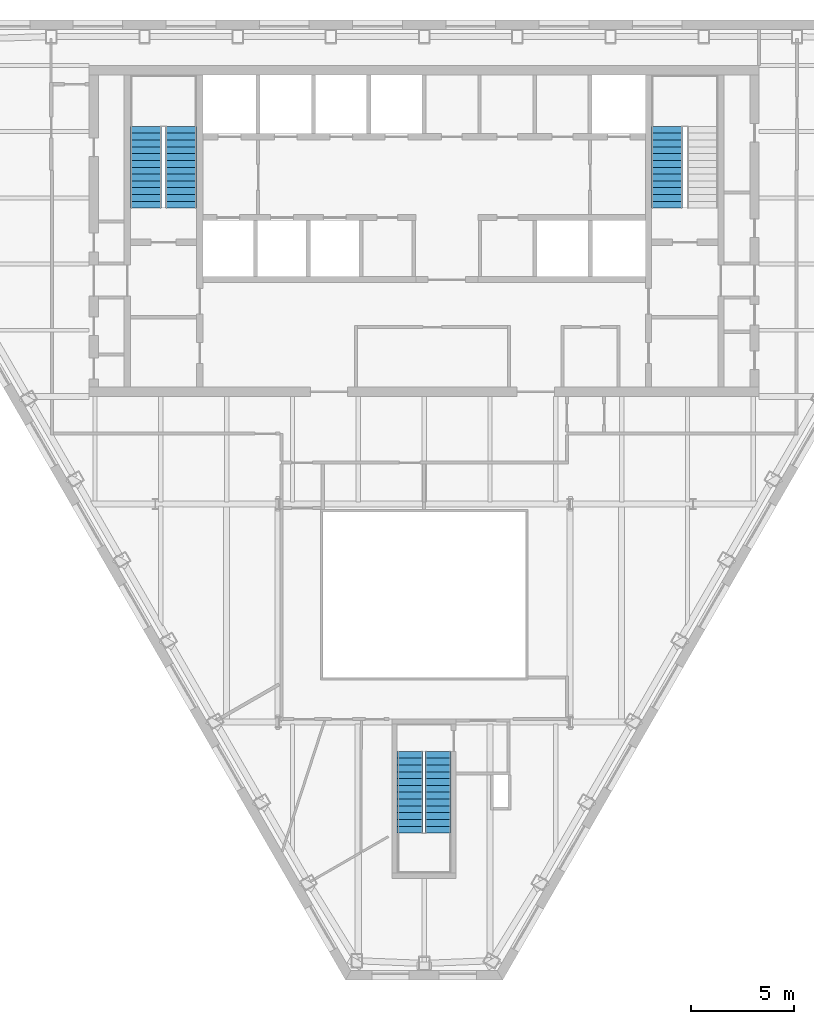
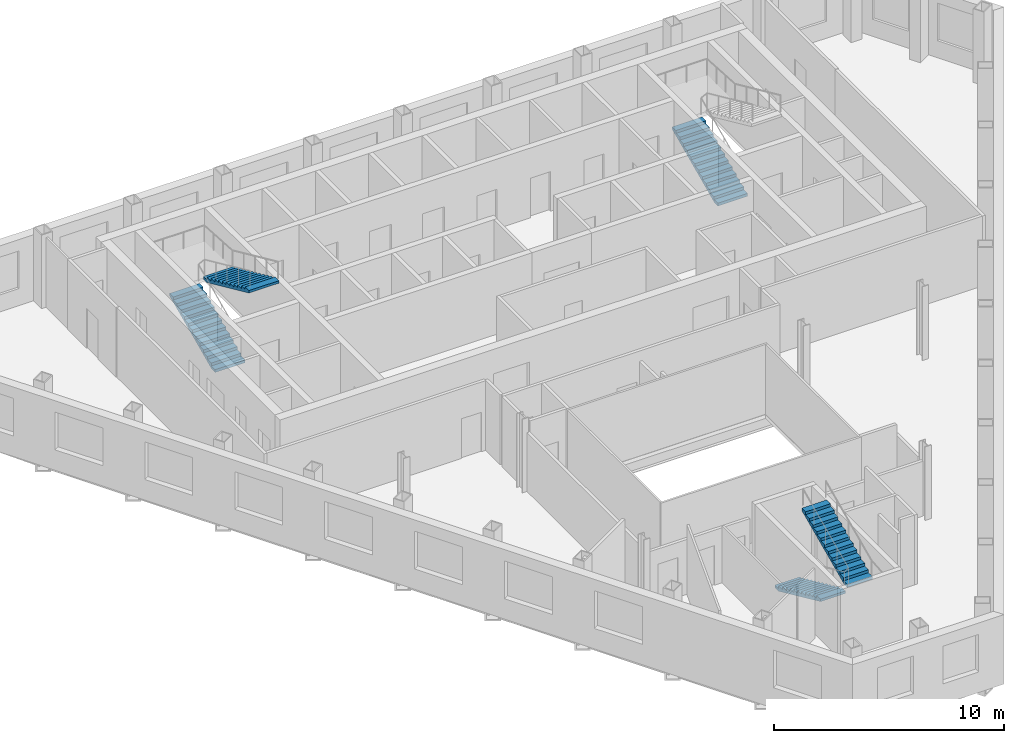
# One storey, part 8 of 10: 5 stair flights, 3 elements without a shape of their own.
"""IFC4 building model written with IfcOpenShell, lengths in metres."""

from ifc_helpers import new_model, si_unit, direction, frame, origin, place, context, subcontext, project, spatial, polygons, material, type_object, element, aggregate, save


model = new_model("IFC4")

# Units and contexts
model_context = context("Model", 3, precision=1e-05, world=origin(), true_north=direction((0.0, 1.0)))
body_context = subcontext(model_context, "Body", "Model", "MODEL_VIEW")
ifc_project = project(units=[si_unit("LENGTHUNIT", "METRE"), si_unit("AREAUNIT", "SQUARE_METRE"), si_unit("VOLUMEUNIT", "CUBIC_METRE"), si_unit("PLANEANGLEUNIT", "RADIAN"), si_unit("MASSUNIT", "GRAM", prefix="KILO")], contexts=[model_context])

# Site, building, storey
site_placement = place(None, origin())
site = spatial("IfcSite", under=ifc_project, at=site_placement, CompositionType="ELEMENT")
building_placement = place(site_placement, origin())
building = spatial("IfcBuilding", under=site, at=building_placement, Name="Njiva Tower", CompositionType="ELEMENT")
storey_placement = place(building_placement, frame((0.0, 0.0, 192.6)))
storey = spatial("IfcBuildingStorey", under=building, at=storey_placement, Name="L42", CompositionType="ELEMENT", Elevation=192.6)

# Stair, stair flights
ifc_material = material(Name="Concrete C40/50", Category="concrete")
stair_type_1 = type_object("IfcStairType", Name="ST1 Exit stair 1250", PredefinedType="HALF_TURN_STAIR", material=ifc_material)
stair_1_placement = place(storey_placement, origin())
stair_1 = element("IfcStair", 1, at=stair_1_placement, inside=storey, type_object=stair_type_1, Name="Stair C", PredefinedType="HALF_TURN_STAIR")
stair_flight_type_1 = type_object("IfcStairFlightType", Name="FL1 Stair flight 1250", PredefinedType="STRAIGHT", material=ifc_material)
stair_flight_1_placement = place(storey_placement, frame((-0.675, -15.16, 0.0), z_axis=(0.0, 0.0, 1.0), x_axis=(0.0, -1.0, 0.0)))
stair_flight_1 = element("IfcStairFlight", 2, at=stair_flight_1_placement, type_object=stair_flight_type_1, Name="ST-C flight 1", NumberOfRisers=13, NumberOfTreads=12, PredefinedType="STRAIGHT", RiserHeight=0.15, TreadLength=0.33, context=body_context, shape_type="Tessellation", body=[
    polygons([(0.0, 0.625, 0.0), (0.0, 0.3125, 0.0), (0.0, 0.0, 0.0), (0.0, -0.3125, 0.0), (0.0, -0.625, 0.0), (0.0, 0.625, 0.15), (0.0, 0.3125, 0.15), (0.0, 0.0, 0.15), (0.0, -0.3125, 0.15), (0.0, -0.625, 0.15), (0.33, 0.625, 0.15), (0.33, 0.3125, 0.15), (0.33, 0.0, 0.15), (0.33, -0.3125, 0.15), (0.33, -0.625, 0.15), (0.33, 0.625, 0.3), (0.33, 0.3125, 0.3), (0.33, 0.0, 0.3), (0.33, -0.3125, 0.3), (0.33, -0.625, 0.3), (0.66, 0.625, 0.3), (0.66, 0.3125, 0.3), (0.66, 0.0, 0.3), (0.66, -0.3125, 0.3), (0.66, -0.625, 0.3), (0.66, 0.625, 0.45), (0.66, 0.3125, 0.45), (0.66, 0.0, 0.45), (0.66, -0.3125, 0.45), (0.66, -0.625, 0.45), (0.99, 0.625, 0.45), (0.99, 0.3125, 0.45), (0.99, 0.0, 0.45), (0.99, -0.3125, 0.45), (0.99, -0.625, 0.45), (0.99, 0.625, 0.6), (0.99, 0.3125, 0.6), (0.99, 0.0, 0.6), (0.99, -0.3125, 0.6), (0.99, -0.625, 0.6), (1.32, 0.625, 0.6), (1.32, 0.3125, 0.6), (1.32, 0.0, 0.6), (1.32, -0.3125, 0.6), (1.32, -0.625, 0.6), (1.32, 0.625, 0.75), (1.32, 0.3125, 0.75), (1.32, 0.0, 0.75), (1.32, -0.3125, 0.75), (1.32, -0.625, 0.75), (1.65, 0.625, 0.75), (1.65, 0.3125, 0.75), (1.65, 0.0, 0.75), (1.65, -0.3125, 0.75), (1.65, -0.625, 0.75), (1.65, 0.625, 0.9), (1.65, 0.3125, 0.9), (1.65, 0.0, 0.9), (1.65, -0.3125, 0.9), (1.65, -0.625, 0.9), (1.98, 0.625, 0.9), (1.98, 0.3125, 0.9), (1.98, 0.0, 0.9), (1.98, -0.3125, 0.9), (1.98, -0.625, 0.9), (1.98, 0.625, 1.05), (1.98, 0.3125, 1.05), (1.98, 0.0, 1.05), (1.98, -0.3125, 1.05), (1.98, -0.625, 1.05), (2.31, 0.625, 1.05), (2.31, 0.3125, 1.05), (2.31, 0.0, 1.05), (2.31, -0.3125, 1.05), (2.31, -0.625, 1.05), (2.31, 0.625, 1.2), (2.31, 0.3125, 1.2), (2.31, 0.0, 1.2), (2.31, -0.3125, 1.2), (2.31, -0.625, 1.2), (2.64, 0.625, 1.2), (2.64, 0.3125, 1.2), (2.64, 0.0, 1.2), (2.64, -0.3125, 1.2), (2.64, -0.625, 1.2), (2.64, 0.625, 1.35), (2.64, 0.3125, 1.35), (2.64, 0.0, 1.35), (2.64, -0.3125, 1.35), (2.64, -0.625, 1.35), (2.97, 0.625, 1.35), (2.97, 0.3125, 1.35), (2.97, 0.0, 1.35), (2.97, -0.3125, 1.35), (2.97, -0.625, 1.35), (2.97, 0.625, 1.5), (2.97, 0.3125, 1.5), (2.97, 0.0, 1.5), (2.97, -0.3125, 1.5), (2.97, -0.625, 1.5), (3.3, 0.625, 1.5), (3.3, 0.3125, 1.5), (3.3, 0.0, 1.5), (3.3, -0.3125, 1.5), (3.3, -0.625, 1.5), (3.3, 0.625, 1.65), (3.3, 0.3125, 1.65), (3.3, 0.0, 1.65), (3.3, -0.3125, 1.65), (3.3, -0.625, 1.65), (3.63, 0.625, 1.65), (3.63, 0.3125, 1.65), (3.63, 0.0, 1.65), (3.63, -0.3125, 1.65), (3.63, -0.625, 1.65), (3.63, 0.625, 1.8), (3.63, 0.3125, 1.8), (3.63, 0.0, 1.8), (3.63, -0.3125, 1.8), (3.63, -0.625, 1.8), (3.96, 0.625, 1.8), (3.96, 0.3125, 1.8), (3.96, 0.0, 1.8), (3.96, -0.3125, 1.8), (3.96, -0.625, 1.8), (3.96, 0.625, 1.6682), (3.96, 0.3125, 1.6682), (3.96, 0.0, 1.6682), (3.96, -0.3125, 1.6682), (3.96, -0.625, 1.6682), (0.29, 0.625, 0.0), (0.29, 0.3125, 0.0), (0.29, 0.0, 0.0), (0.29, -0.3125, 0.0), (0.29, -0.625, 0.0)], [[[1, 6, 11, 16, 21, 26, 31, 36, 41, 46, 51, 56, 61, 66, 71, 76, 81, 86, 91, 96, 101, 106, 111, 116, 121, 126, 131]], [[135, 130, 125, 120, 115, 110, 105, 100, 95, 90, 85, 80, 75, 70, 65, 60, 55, 50, 45, 40, 35, 30, 25, 20, 15, 10, 5]], [[6, 1, 2, 7]], [[7, 2, 3, 8]], [[8, 3, 4, 9]], [[9, 4, 5, 10]], [[11, 6, 7, 12]], [[12, 7, 8, 13]], [[13, 8, 9, 14]], [[14, 9, 10, 15]], [[16, 11, 12, 17]], [[17, 12, 13, 18]], [[18, 13, 14, 19]], [[19, 14, 15, 20]], [[21, 16, 17, 22]], [[22, 17, 18, 23]], [[23, 18, 19, 24]], [[24, 19, 20, 25]], [[26, 21, 22, 27]], [[27, 22, 23, 28]], [[28, 23, 24, 29]], [[29, 24, 25, 30]], [[31, 26, 27, 32]], [[32, 27, 28, 33]], [[33, 28, 29, 34]], [[34, 29, 30, 35]], [[36, 31, 32, 37]], [[37, 32, 33, 38]], [[38, 33, 34, 39]], [[39, 34, 35, 40]], [[41, 36, 37, 42]], [[42, 37, 38, 43]], [[43, 38, 39, 44]], [[44, 39, 40, 45]], [[46, 41, 42, 47]], [[47, 42, 43, 48]], [[48, 43, 44, 49]], [[49, 44, 45, 50]], [[51, 46, 47, 52]], [[52, 47, 48, 53]], [[53, 48, 49, 54]], [[54, 49, 50, 55]], [[56, 51, 52, 57]], [[57, 52, 53, 58]], [[58, 53, 54, 59]], [[59, 54, 55, 60]], [[61, 56, 57, 62]], [[62, 57, 58, 63]], [[63, 58, 59, 64]], [[64, 59, 60, 65]], [[66, 61, 62, 67]], [[67, 62, 63, 68]], [[68, 63, 64, 69]], [[69, 64, 65, 70]], [[71, 66, 67, 72]], [[72, 67, 68, 73]], [[73, 68, 69, 74]], [[74, 69, 70, 75]], [[76, 71, 72, 77]], [[77, 72, 73, 78]], [[78, 73, 74, 79]], [[79, 74, 75, 80]], [[81, 76, 77, 82]], [[82, 77, 78, 83]], [[83, 78, 79, 84]], [[84, 79, 80, 85]], [[86, 81, 82, 87]], [[87, 82, 83, 88]], [[88, 83, 84, 89]], [[89, 84, 85, 90]], [[91, 86, 87, 92]], [[92, 87, 88, 93]], [[93, 88, 89, 94]], [[94, 89, 90, 95]], [[96, 91, 92, 97]], [[97, 92, 93, 98]], [[98, 93, 94, 99]], [[99, 94, 95, 100]], [[101, 96, 97, 102]], [[102, 97, 98, 103]], [[103, 98, 99, 104]], [[104, 99, 100, 105]], [[106, 101, 102, 107]], [[107, 102, 103, 108]], [[108, 103, 104, 109]], [[109, 104, 105, 110]], [[111, 106, 107, 112]], [[112, 107, 108, 113]], [[113, 108, 109, 114]], [[114, 109, 110, 115]], [[116, 111, 112, 117]], [[117, 112, 113, 118]], [[118, 113, 114, 119]], [[119, 114, 115, 120]], [[121, 116, 117, 122]], [[122, 117, 118, 123]], [[123, 118, 119, 124]], [[124, 119, 120, 125]], [[126, 121, 122, 127]], [[127, 122, 123, 128]], [[128, 123, 124, 129]], [[129, 124, 125, 130]], [[131, 126, 127, 132]], [[132, 127, 128, 133]], [[133, 128, 129, 134]], [[134, 129, 130, 135]], [[1, 131, 132, 2]], [[2, 132, 133, 3]], [[3, 133, 134, 4]], [[4, 134, 135, 5]]], closed=True),
])
stair_flight_2_placement = place(storey_placement, frame((0.675, -19.12, 1.95), z_axis=(0.0, 0.0, 1.0), x_axis=(0.0, 1.0, 0.0)))
stair_flight_2 = element("IfcStairFlight", 3, at=stair_flight_2_placement, type_object=stair_flight_type_1, Name="ST-C flight 2", NumberOfRisers=13, NumberOfTreads=12, PredefinedType="STRAIGHT", RiserHeight=0.15, TreadLength=0.33, context=body_context, shape_type="Tessellation", body=[
    polygons([(0.0, 0.625, 0.0), (0.0, 0.3125, 0.0), (0.0, 0.0, 0.0), (0.0, -0.3125, 0.0), (0.0, -0.625, 0.0), (0.0, 0.625, 0.15), (0.0, 0.3125, 0.15), (0.0, 0.0, 0.15), (0.0, -0.3125, 0.15), (0.0, -0.625, 0.15), (0.33, 0.625, 0.15), (0.33, 0.3125, 0.15), (0.33, 0.0, 0.15), (0.33, -0.3125, 0.15), (0.33, -0.625, 0.15), (0.33, 0.625, 0.3), (0.33, 0.3125, 0.3), (0.33, 0.0, 0.3), (0.33, -0.3125, 0.3), (0.33, -0.625, 0.3), (0.66, 0.625, 0.3), (0.66, 0.3125, 0.3), (0.66, 0.0, 0.3), (0.66, -0.3125, 0.3), (0.66, -0.625, 0.3), (0.66, 0.625, 0.45), (0.66, 0.3125, 0.45), (0.66, 0.0, 0.45), (0.66, -0.3125, 0.45), (0.66, -0.625, 0.45), (0.99, 0.625, 0.45), (0.99, 0.3125, 0.45), (0.99, 0.0, 0.45), (0.99, -0.3125, 0.45), (0.99, -0.625, 0.45), (0.99, 0.625, 0.6), (0.99, 0.3125, 0.6), (0.99, 0.0, 0.6), (0.99, -0.3125, 0.6), (0.99, -0.625, 0.6), (1.32, 0.625, 0.6), (1.32, 0.3125, 0.6), (1.32, 0.0, 0.6), (1.32, -0.3125, 0.6), (1.32, -0.625, 0.6), (1.32, 0.625, 0.75), (1.32, 0.3125, 0.75), (1.32, 0.0, 0.75), (1.32, -0.3125, 0.75), (1.32, -0.625, 0.75), (1.65, 0.625, 0.75), (1.65, 0.3125, 0.75), (1.65, 0.0, 0.75), (1.65, -0.3125, 0.75), (1.65, -0.625, 0.75), (1.65, 0.625, 0.9), (1.65, 0.3125, 0.9), (1.65, 0.0, 0.9), (1.65, -0.3125, 0.9), (1.65, -0.625, 0.9), (1.98, 0.625, 0.9), (1.98, 0.3125, 0.9), (1.98, 0.0, 0.9), (1.98, -0.3125, 0.9), (1.98, -0.625, 0.9), (1.98, 0.625, 1.05), (1.98, 0.3125, 1.05), (1.98, 0.0, 1.05), (1.98, -0.3125, 1.05), (1.98, -0.625, 1.05), (2.31, 0.625, 1.05), (2.31, 0.3125, 1.05), (2.31, 0.0, 1.05), (2.31, -0.3125, 1.05), (2.31, -0.625, 1.05), (2.31, 0.625, 1.2), (2.31, 0.3125, 1.2), (2.31, 0.0, 1.2), (2.31, -0.3125, 1.2), (2.31, -0.625, 1.2), (2.64, 0.625, 1.2), (2.64, 0.3125, 1.2), (2.64, 0.0, 1.2), (2.64, -0.3125, 1.2), (2.64, -0.625, 1.2), (2.64, 0.625, 1.35), (2.64, 0.3125, 1.35), (2.64, 0.0, 1.35), (2.64, -0.3125, 1.35), (2.64, -0.625, 1.35), (2.97, 0.625, 1.35), (2.97, 0.3125, 1.35), (2.97, 0.0, 1.35), (2.97, -0.3125, 1.35), (2.97, -0.625, 1.35), (2.97, 0.625, 1.5), (2.97, 0.3125, 1.5), (2.97, 0.0, 1.5), (2.97, -0.3125, 1.5), (2.97, -0.625, 1.5), (3.3, 0.625, 1.5), (3.3, 0.3125, 1.5), (3.3, 0.0, 1.5), (3.3, -0.3125, 1.5), (3.3, -0.625, 1.5), (3.3, 0.625, 1.65), (3.3, 0.3125, 1.65), (3.3, 0.0, 1.65), (3.3, -0.3125, 1.65), (3.3, -0.625, 1.65), (3.63, 0.625, 1.65), (3.63, 0.3125, 1.65), (3.63, 0.0, 1.65), (3.63, -0.3125, 1.65), (3.63, -0.625, 1.65), (3.63, 0.625, 1.8), (3.63, 0.3125, 1.8), (3.63, 0.0, 1.8), (3.63, -0.3125, 1.8), (3.63, -0.625, 1.8), (3.96, 0.625, 1.8), (3.96, 0.3125, 1.8), (3.96, 0.0, 1.8), (3.96, -0.3125, 1.8), (3.96, -0.625, 1.8), (3.96, 0.625, 1.6682), (3.96, 0.3125, 1.6682), (3.96, 0.0, 1.6682), (3.96, -0.3125, 1.6682), (3.96, -0.625, 1.6682), (0.29, 0.625, 0.0), (0.29, 0.3125, 0.0), (0.29, 0.0, 0.0), (0.29, -0.3125, 0.0), (0.29, -0.625, 0.0)], [[[1, 6, 11, 16, 21, 26, 31, 36, 41, 46, 51, 56, 61, 66, 71, 76, 81, 86, 91, 96, 101, 106, 111, 116, 121, 126, 131]], [[135, 130, 125, 120, 115, 110, 105, 100, 95, 90, 85, 80, 75, 70, 65, 60, 55, 50, 45, 40, 35, 30, 25, 20, 15, 10, 5]], [[6, 1, 2, 7]], [[7, 2, 3, 8]], [[8, 3, 4, 9]], [[9, 4, 5, 10]], [[11, 6, 7, 12]], [[12, 7, 8, 13]], [[13, 8, 9, 14]], [[14, 9, 10, 15]], [[16, 11, 12, 17]], [[17, 12, 13, 18]], [[18, 13, 14, 19]], [[19, 14, 15, 20]], [[21, 16, 17, 22]], [[22, 17, 18, 23]], [[23, 18, 19, 24]], [[24, 19, 20, 25]], [[26, 21, 22, 27]], [[27, 22, 23, 28]], [[28, 23, 24, 29]], [[29, 24, 25, 30]], [[31, 26, 27, 32]], [[32, 27, 28, 33]], [[33, 28, 29, 34]], [[34, 29, 30, 35]], [[36, 31, 32, 37]], [[37, 32, 33, 38]], [[38, 33, 34, 39]], [[39, 34, 35, 40]], [[41, 36, 37, 42]], [[42, 37, 38, 43]], [[43, 38, 39, 44]], [[44, 39, 40, 45]], [[46, 41, 42, 47]], [[47, 42, 43, 48]], [[48, 43, 44, 49]], [[49, 44, 45, 50]], [[51, 46, 47, 52]], [[52, 47, 48, 53]], [[53, 48, 49, 54]], [[54, 49, 50, 55]], [[56, 51, 52, 57]], [[57, 52, 53, 58]], [[58, 53, 54, 59]], [[59, 54, 55, 60]], [[61, 56, 57, 62]], [[62, 57, 58, 63]], [[63, 58, 59, 64]], [[64, 59, 60, 65]], [[66, 61, 62, 67]], [[67, 62, 63, 68]], [[68, 63, 64, 69]], [[69, 64, 65, 70]], [[71, 66, 67, 72]], [[72, 67, 68, 73]], [[73, 68, 69, 74]], [[74, 69, 70, 75]], [[76, 71, 72, 77]], [[77, 72, 73, 78]], [[78, 73, 74, 79]], [[79, 74, 75, 80]], [[81, 76, 77, 82]], [[82, 77, 78, 83]], [[83, 78, 79, 84]], [[84, 79, 80, 85]], [[86, 81, 82, 87]], [[87, 82, 83, 88]], [[88, 83, 84, 89]], [[89, 84, 85, 90]], [[91, 86, 87, 92]], [[92, 87, 88, 93]], [[93, 88, 89, 94]], [[94, 89, 90, 95]], [[96, 91, 92, 97]], [[97, 92, 93, 98]], [[98, 93, 94, 99]], [[99, 94, 95, 100]], [[101, 96, 97, 102]], [[102, 97, 98, 103]], [[103, 98, 99, 104]], [[104, 99, 100, 105]], [[106, 101, 102, 107]], [[107, 102, 103, 108]], [[108, 103, 104, 109]], [[109, 104, 105, 110]], [[111, 106, 107, 112]], [[112, 107, 108, 113]], [[113, 108, 109, 114]], [[114, 109, 110, 115]], [[116, 111, 112, 117]], [[117, 112, 113, 118]], [[118, 113, 114, 119]], [[119, 114, 115, 120]], [[121, 116, 117, 122]], [[122, 117, 118, 123]], [[123, 118, 119, 124]], [[124, 119, 120, 125]], [[126, 121, 122, 127]], [[127, 122, 123, 128]], [[128, 123, 124, 129]], [[129, 124, 125, 130]], [[131, 126, 127, 132]], [[132, 127, 128, 133]], [[133, 128, 129, 134]], [[134, 129, 130, 135]], [[1, 131, 132, 2]], [[2, 132, 133, 3]], [[3, 133, 134, 4]], [[4, 134, 135, 5]]], closed=True),
])
aggregate(stair_1, [stair_flight_1, stair_flight_2])

stair_type_2 = type_object("IfcStairType", Name="ST4 Exit stair 1500", PredefinedType="HALF_TURN_STAIR", material=ifc_material)
stair_2_placement = place(storey_placement, origin())
stair_2 = element("IfcStair", 4, at=stair_2_placement, inside=storey, type_object=stair_type_2, Name="Stair A", PredefinedType="HALF_TURN_STAIR")
stair_flight_type_2 = type_object("IfcStairFlightType", Name="FL4 Stair flight 1500", PredefinedType="STRAIGHT", material=ifc_material)
stair_flight_3_placement = place(storey_placement, frame((-13.45, 11.1, 0.0), z_axis=(0.0, 0.0, 1.0), x_axis=(0.0, 1.0, 0.0)))
stair_flight_3 = element("IfcStairFlight", 5, at=stair_flight_3_placement, type_object=stair_flight_type_2, Name="ST-A flight 1", NumberOfRisers=13, NumberOfTreads=12, PredefinedType="STRAIGHT", RiserHeight=0.15, TreadLength=0.33, context=body_context, shape_type="Tessellation", body=[
    polygons([(0.0, 0.75, 0.0), (0.0, 0.375, 0.0), (0.0, 0.0, 0.0), (0.0, -0.375, 0.0), (0.0, -0.75, 0.0), (0.0, 0.75, 0.15), (0.0, 0.375, 0.15), (0.0, 0.0, 0.15), (0.0, -0.375, 0.15), (0.0, -0.75, 0.15), (0.33, 0.75, 0.15), (0.33, 0.375, 0.15), (0.33, 0.0, 0.15), (0.33, -0.375, 0.15), (0.33, -0.75, 0.15), (0.33, 0.75, 0.3), (0.33, 0.375, 0.3), (0.33, 0.0, 0.3), (0.33, -0.375, 0.3), (0.33, -0.75, 0.3), (0.66, 0.75, 0.3), (0.66, 0.375, 0.3), (0.66, 0.0, 0.3), (0.66, -0.375, 0.3), (0.66, -0.75, 0.3), (0.66, 0.75, 0.45), (0.66, 0.375, 0.45), (0.66, 0.0, 0.45), (0.66, -0.375, 0.45), (0.66, -0.75, 0.45), (0.99, 0.75, 0.45), (0.99, 0.375, 0.45), (0.99, 0.0, 0.45), (0.99, -0.375, 0.45), (0.99, -0.75, 0.45), (0.99, 0.75, 0.6), (0.99, 0.375, 0.6), (0.99, 0.0, 0.6), (0.99, -0.375, 0.6), (0.99, -0.75, 0.6), (1.32, 0.75, 0.6), (1.32, 0.375, 0.6), (1.32, 0.0, 0.6), (1.32, -0.375, 0.6), (1.32, -0.75, 0.6), (1.32, 0.75, 0.75), (1.32, 0.375, 0.75), (1.32, 0.0, 0.75), (1.32, -0.375, 0.75), (1.32, -0.75, 0.75), (1.65, 0.75, 0.75), (1.65, 0.375, 0.75), (1.65, 0.0, 0.75), (1.65, -0.375, 0.75), (1.65, -0.75, 0.75), (1.65, 0.75, 0.9), (1.65, 0.375, 0.9), (1.65, 0.0, 0.9), (1.65, -0.375, 0.9), (1.65, -0.75, 0.9), (1.98, 0.75, 0.9), (1.98, 0.375, 0.9), (1.98, 0.0, 0.9), (1.98, -0.375, 0.9), (1.98, -0.75, 0.9), (1.98, 0.75, 1.05), (1.98, 0.375, 1.05), (1.98, 0.0, 1.05), (1.98, -0.375, 1.05), (1.98, -0.75, 1.05), (2.31, 0.75, 1.05), (2.31, 0.375, 1.05), (2.31, 0.0, 1.05), (2.31, -0.375, 1.05), (2.31, -0.75, 1.05), (2.31, 0.75, 1.2), (2.31, 0.375, 1.2), (2.31, 0.0, 1.2), (2.31, -0.375, 1.2), (2.31, -0.75, 1.2), (2.64, 0.75, 1.2), (2.64, 0.375, 1.2), (2.64, 0.0, 1.2), (2.64, -0.375, 1.2), (2.64, -0.75, 1.2), (2.64, 0.75, 1.35), (2.64, 0.375, 1.35), (2.64, 0.0, 1.35), (2.64, -0.375, 1.35), (2.64, -0.75, 1.35), (2.97, 0.75, 1.35), (2.97, 0.375, 1.35), (2.97, 0.0, 1.35), (2.97, -0.375, 1.35), (2.97, -0.75, 1.35), (2.97, 0.75, 1.5), (2.97, 0.375, 1.5), (2.97, 0.0, 1.5), (2.97, -0.375, 1.5), (2.97, -0.75, 1.5), (3.3, 0.75, 1.5), (3.3, 0.375, 1.5), (3.3, 0.0, 1.5), (3.3, -0.375, 1.5), (3.3, -0.75, 1.5), (3.3, 0.75, 1.65), (3.3, 0.375, 1.65), (3.3, 0.0, 1.65), (3.3, -0.375, 1.65), (3.3, -0.75, 1.65), (3.63, 0.75, 1.65), (3.63, 0.375, 1.65), (3.63, 0.0, 1.65), (3.63, -0.375, 1.65), (3.63, -0.75, 1.65), (3.63, 0.75, 1.8), (3.63, 0.375, 1.8), (3.63, 0.0, 1.8), (3.63, -0.375, 1.8), (3.63, -0.75, 1.8), (3.96, 0.75, 1.8), (3.96, 0.375, 1.8), (3.96, 0.0, 1.8), (3.96, -0.375, 1.8), (3.96, -0.75, 1.8), (3.96, 0.75, 1.6682), (3.96, 0.375, 1.6682), (3.96, 0.0, 1.6682), (3.96, -0.375, 1.6682), (3.96, -0.75, 1.6682), (0.29, 0.75, 0.0), (0.29, 0.375, 0.0), (0.29, 0.0, 0.0), (0.29, -0.375, 0.0), (0.29, -0.75, 0.0)], [[[1, 6, 11, 16, 21, 26, 31, 36, 41, 46, 51, 56, 61, 66, 71, 76, 81, 86, 91, 96, 101, 106, 111, 116, 121, 126, 131]], [[135, 130, 125, 120, 115, 110, 105, 100, 95, 90, 85, 80, 75, 70, 65, 60, 55, 50, 45, 40, 35, 30, 25, 20, 15, 10, 5]], [[6, 1, 2, 7]], [[7, 2, 3, 8]], [[8, 3, 4, 9]], [[9, 4, 5, 10]], [[11, 6, 7, 12]], [[12, 7, 8, 13]], [[13, 8, 9, 14]], [[14, 9, 10, 15]], [[16, 11, 12, 17]], [[17, 12, 13, 18]], [[18, 13, 14, 19]], [[19, 14, 15, 20]], [[21, 16, 17, 22]], [[22, 17, 18, 23]], [[23, 18, 19, 24]], [[24, 19, 20, 25]], [[26, 21, 22, 27]], [[27, 22, 23, 28]], [[28, 23, 24, 29]], [[29, 24, 25, 30]], [[31, 26, 27, 32]], [[32, 27, 28, 33]], [[33, 28, 29, 34]], [[34, 29, 30, 35]], [[36, 31, 32, 37]], [[37, 32, 33, 38]], [[38, 33, 34, 39]], [[39, 34, 35, 40]], [[41, 36, 37, 42]], [[42, 37, 38, 43]], [[43, 38, 39, 44]], [[44, 39, 40, 45]], [[46, 41, 42, 47]], [[47, 42, 43, 48]], [[48, 43, 44, 49]], [[49, 44, 45, 50]], [[51, 46, 47, 52]], [[52, 47, 48, 53]], [[53, 48, 49, 54]], [[54, 49, 50, 55]], [[56, 51, 52, 57]], [[57, 52, 53, 58]], [[58, 53, 54, 59]], [[59, 54, 55, 60]], [[61, 56, 57, 62]], [[62, 57, 58, 63]], [[63, 58, 59, 64]], [[64, 59, 60, 65]], [[66, 61, 62, 67]], [[67, 62, 63, 68]], [[68, 63, 64, 69]], [[69, 64, 65, 70]], [[71, 66, 67, 72]], [[72, 67, 68, 73]], [[73, 68, 69, 74]], [[74, 69, 70, 75]], [[76, 71, 72, 77]], [[77, 72, 73, 78]], [[78, 73, 74, 79]], [[79, 74, 75, 80]], [[81, 76, 77, 82]], [[82, 77, 78, 83]], [[83, 78, 79, 84]], [[84, 79, 80, 85]], [[86, 81, 82, 87]], [[87, 82, 83, 88]], [[88, 83, 84, 89]], [[89, 84, 85, 90]], [[91, 86, 87, 92]], [[92, 87, 88, 93]], [[93, 88, 89, 94]], [[94, 89, 90, 95]], [[96, 91, 92, 97]], [[97, 92, 93, 98]], [[98, 93, 94, 99]], [[99, 94, 95, 100]], [[101, 96, 97, 102]], [[102, 97, 98, 103]], [[103, 98, 99, 104]], [[104, 99, 100, 105]], [[106, 101, 102, 107]], [[107, 102, 103, 108]], [[108, 103, 104, 109]], [[109, 104, 105, 110]], [[111, 106, 107, 112]], [[112, 107, 108, 113]], [[113, 108, 109, 114]], [[114, 109, 110, 115]], [[116, 111, 112, 117]], [[117, 112, 113, 118]], [[118, 113, 114, 119]], [[119, 114, 115, 120]], [[121, 116, 117, 122]], [[122, 117, 118, 123]], [[123, 118, 119, 124]], [[124, 119, 120, 125]], [[126, 121, 122, 127]], [[127, 122, 123, 128]], [[128, 123, 124, 129]], [[129, 124, 125, 130]], [[131, 126, 127, 132]], [[132, 127, 128, 133]], [[133, 128, 129, 134]], [[134, 129, 130, 135]], [[1, 131, 132, 2]], [[2, 132, 133, 3]], [[3, 133, 134, 4]], [[4, 134, 135, 5]]], closed=True),
])
stair_flight_4_placement = place(storey_placement, frame((-11.75, 15.06, 1.95), z_axis=(0.0, 0.0, 1.0), x_axis=(0.0, -1.0, 0.0)))
stair_flight_4 = element("IfcStairFlight", 6, at=stair_flight_4_placement, type_object=stair_flight_type_2, Name="ST-A flight 2", NumberOfRisers=13, NumberOfTreads=12, PredefinedType="STRAIGHT", RiserHeight=0.15, TreadLength=0.33, context=body_context, shape_type="Tessellation", body=[
    polygons([(0.0, 0.75, 0.0), (0.0, 0.375, 0.0), (0.0, 0.0, 0.0), (0.0, -0.375, 0.0), (0.0, -0.75, 0.0), (0.0, 0.75, 0.15), (0.0, 0.375, 0.15), (0.0, 0.0, 0.15), (0.0, -0.375, 0.15), (0.0, -0.75, 0.15), (0.33, 0.75, 0.15), (0.33, 0.375, 0.15), (0.33, 0.0, 0.15), (0.33, -0.375, 0.15), (0.33, -0.75, 0.15), (0.33, 0.75, 0.3), (0.33, 0.375, 0.3), (0.33, 0.0, 0.3), (0.33, -0.375, 0.3), (0.33, -0.75, 0.3), (0.66, 0.75, 0.3), (0.66, 0.375, 0.3), (0.66, 0.0, 0.3), (0.66, -0.375, 0.3), (0.66, -0.75, 0.3), (0.66, 0.75, 0.45), (0.66, 0.375, 0.45), (0.66, 0.0, 0.45), (0.66, -0.375, 0.45), (0.66, -0.75, 0.45), (0.99, 0.75, 0.45), (0.99, 0.375, 0.45), (0.99, 0.0, 0.45), (0.99, -0.375, 0.45), (0.99, -0.75, 0.45), (0.99, 0.75, 0.6), (0.99, 0.375, 0.6), (0.99, 0.0, 0.6), (0.99, -0.375, 0.6), (0.99, -0.75, 0.6), (1.32, 0.75, 0.6), (1.32, 0.375, 0.6), (1.32, 0.0, 0.6), (1.32, -0.375, 0.6), (1.32, -0.75, 0.6), (1.32, 0.75, 0.75), (1.32, 0.375, 0.75), (1.32, 0.0, 0.75), (1.32, -0.375, 0.75), (1.32, -0.75, 0.75), (1.65, 0.75, 0.75), (1.65, 0.375, 0.75), (1.65, 0.0, 0.75), (1.65, -0.375, 0.75), (1.65, -0.75, 0.75), (1.65, 0.75, 0.9), (1.65, 0.375, 0.9), (1.65, 0.0, 0.9), (1.65, -0.375, 0.9), (1.65, -0.75, 0.9), (1.98, 0.75, 0.9), (1.98, 0.375, 0.9), (1.98, 0.0, 0.9), (1.98, -0.375, 0.9), (1.98, -0.75, 0.9), (1.98, 0.75, 1.05), (1.98, 0.375, 1.05), (1.98, 0.0, 1.05), (1.98, -0.375, 1.05), (1.98, -0.75, 1.05), (2.31, 0.75, 1.05), (2.31, 0.375, 1.05), (2.31, 0.0, 1.05), (2.31, -0.375, 1.05), (2.31, -0.75, 1.05), (2.31, 0.75, 1.2), (2.31, 0.375, 1.2), (2.31, 0.0, 1.2), (2.31, -0.375, 1.2), (2.31, -0.75, 1.2), (2.64, 0.75, 1.2), (2.64, 0.375, 1.2), (2.64, 0.0, 1.2), (2.64, -0.375, 1.2), (2.64, -0.75, 1.2), (2.64, 0.75, 1.35), (2.64, 0.375, 1.35), (2.64, 0.0, 1.35), (2.64, -0.375, 1.35), (2.64, -0.75, 1.35), (2.97, 0.75, 1.35), (2.97, 0.375, 1.35), (2.97, 0.0, 1.35), (2.97, -0.375, 1.35), (2.97, -0.75, 1.35), (2.97, 0.75, 1.5), (2.97, 0.375, 1.5), (2.97, 0.0, 1.5), (2.97, -0.375, 1.5), (2.97, -0.75, 1.5), (3.3, 0.75, 1.5), (3.3, 0.375, 1.5), (3.3, 0.0, 1.5), (3.3, -0.375, 1.5), (3.3, -0.75, 1.5), (3.3, 0.75, 1.65), (3.3, 0.375, 1.65), (3.3, 0.0, 1.65), (3.3, -0.375, 1.65), (3.3, -0.75, 1.65), (3.63, 0.75, 1.65), (3.63, 0.375, 1.65), (3.63, 0.0, 1.65), (3.63, -0.375, 1.65), (3.63, -0.75, 1.65), (3.63, 0.75, 1.8), (3.63, 0.375, 1.8), (3.63, 0.0, 1.8), (3.63, -0.375, 1.8), (3.63, -0.75, 1.8), (3.96, 0.75, 1.8), (3.96, 0.375, 1.8), (3.96, 0.0, 1.8), (3.96, -0.375, 1.8), (3.96, -0.75, 1.8), (3.96, 0.75, 1.6682), (3.96, 0.375, 1.6682), (3.96, 0.0, 1.6682), (3.96, -0.375, 1.6682), (3.96, -0.75, 1.6682), (0.29, 0.75, 0.0), (0.29, 0.375, 0.0), (0.29, 0.0, 0.0), (0.29, -0.375, 0.0), (0.29, -0.75, 0.0)], [[[1, 6, 11, 16, 21, 26, 31, 36, 41, 46, 51, 56, 61, 66, 71, 76, 81, 86, 91, 96, 101, 106, 111, 116, 121, 126, 131]], [[135, 130, 125, 120, 115, 110, 105, 100, 95, 90, 85, 80, 75, 70, 65, 60, 55, 50, 45, 40, 35, 30, 25, 20, 15, 10, 5]], [[6, 1, 2, 7]], [[7, 2, 3, 8]], [[8, 3, 4, 9]], [[9, 4, 5, 10]], [[11, 6, 7, 12]], [[12, 7, 8, 13]], [[13, 8, 9, 14]], [[14, 9, 10, 15]], [[16, 11, 12, 17]], [[17, 12, 13, 18]], [[18, 13, 14, 19]], [[19, 14, 15, 20]], [[21, 16, 17, 22]], [[22, 17, 18, 23]], [[23, 18, 19, 24]], [[24, 19, 20, 25]], [[26, 21, 22, 27]], [[27, 22, 23, 28]], [[28, 23, 24, 29]], [[29, 24, 25, 30]], [[31, 26, 27, 32]], [[32, 27, 28, 33]], [[33, 28, 29, 34]], [[34, 29, 30, 35]], [[36, 31, 32, 37]], [[37, 32, 33, 38]], [[38, 33, 34, 39]], [[39, 34, 35, 40]], [[41, 36, 37, 42]], [[42, 37, 38, 43]], [[43, 38, 39, 44]], [[44, 39, 40, 45]], [[46, 41, 42, 47]], [[47, 42, 43, 48]], [[48, 43, 44, 49]], [[49, 44, 45, 50]], [[51, 46, 47, 52]], [[52, 47, 48, 53]], [[53, 48, 49, 54]], [[54, 49, 50, 55]], [[56, 51, 52, 57]], [[57, 52, 53, 58]], [[58, 53, 54, 59]], [[59, 54, 55, 60]], [[61, 56, 57, 62]], [[62, 57, 58, 63]], [[63, 58, 59, 64]], [[64, 59, 60, 65]], [[66, 61, 62, 67]], [[67, 62, 63, 68]], [[68, 63, 64, 69]], [[69, 64, 65, 70]], [[71, 66, 67, 72]], [[72, 67, 68, 73]], [[73, 68, 69, 74]], [[74, 69, 70, 75]], [[76, 71, 72, 77]], [[77, 72, 73, 78]], [[78, 73, 74, 79]], [[79, 74, 75, 80]], [[81, 76, 77, 82]], [[82, 77, 78, 83]], [[83, 78, 79, 84]], [[84, 79, 80, 85]], [[86, 81, 82, 87]], [[87, 82, 83, 88]], [[88, 83, 84, 89]], [[89, 84, 85, 90]], [[91, 86, 87, 92]], [[92, 87, 88, 93]], [[93, 88, 89, 94]], [[94, 89, 90, 95]], [[96, 91, 92, 97]], [[97, 92, 93, 98]], [[98, 93, 94, 99]], [[99, 94, 95, 100]], [[101, 96, 97, 102]], [[102, 97, 98, 103]], [[103, 98, 99, 104]], [[104, 99, 100, 105]], [[106, 101, 102, 107]], [[107, 102, 103, 108]], [[108, 103, 104, 109]], [[109, 104, 105, 110]], [[111, 106, 107, 112]], [[112, 107, 108, 113]], [[113, 108, 109, 114]], [[114, 109, 110, 115]], [[116, 111, 112, 117]], [[117, 112, 113, 118]], [[118, 113, 114, 119]], [[119, 114, 115, 120]], [[121, 116, 117, 122]], [[122, 117, 118, 123]], [[123, 118, 119, 124]], [[124, 119, 120, 125]], [[126, 121, 122, 127]], [[127, 122, 123, 128]], [[128, 123, 124, 129]], [[129, 124, 125, 130]], [[131, 126, 127, 132]], [[132, 127, 128, 133]], [[133, 128, 129, 134]], [[134, 129, 130, 135]], [[1, 131, 132, 2]], [[2, 132, 133, 3]], [[3, 133, 134, 4]], [[4, 134, 135, 5]]], closed=True),
])
aggregate(stair_2, [stair_flight_3, stair_flight_4])

# Stair, stair flight
stair_3_placement = place(storey_placement, origin())
stair_3 = element("IfcStair", 7, at=stair_3_placement, inside=storey, type_object=stair_type_2, Name="Stair B", PredefinedType="HALF_TURN_STAIR")
stair_flight_5_placement = place(storey_placement, frame((11.75, 11.1, 0.0), z_axis=(0.0, 0.0, 1.0), x_axis=(0.0, 1.0, 0.0)))
stair_flight_5 = element("IfcStairFlight", 8, at=stair_flight_5_placement, type_object=stair_flight_type_2, Name="ST-B flight 1", NumberOfRisers=13, NumberOfTreads=12, PredefinedType="STRAIGHT", RiserHeight=0.15, TreadLength=0.33, context=body_context, shape_type="Tessellation", body=[
    polygons([(0.0, 0.75, 0.0), (0.0, 0.375, 0.0), (0.0, 0.0, 0.0), (0.0, -0.375, 0.0), (0.0, -0.75, 0.0), (0.0, 0.75, 0.15), (0.0, 0.375, 0.15), (0.0, 0.0, 0.15), (0.0, -0.375, 0.15), (0.0, -0.75, 0.15), (0.33, 0.75, 0.15), (0.33, 0.375, 0.15), (0.33, 0.0, 0.15), (0.33, -0.375, 0.15), (0.33, -0.75, 0.15), (0.33, 0.75, 0.3), (0.33, 0.375, 0.3), (0.33, 0.0, 0.3), (0.33, -0.375, 0.3), (0.33, -0.75, 0.3), (0.66, 0.75, 0.3), (0.66, 0.375, 0.3), (0.66, 0.0, 0.3), (0.66, -0.375, 0.3), (0.66, -0.75, 0.3), (0.66, 0.75, 0.45), (0.66, 0.375, 0.45), (0.66, 0.0, 0.45), (0.66, -0.375, 0.45), (0.66, -0.75, 0.45), (0.99, 0.75, 0.45), (0.99, 0.375, 0.45), (0.99, 0.0, 0.45), (0.99, -0.375, 0.45), (0.99, -0.75, 0.45), (0.99, 0.75, 0.6), (0.99, 0.375, 0.6), (0.99, 0.0, 0.6), (0.99, -0.375, 0.6), (0.99, -0.75, 0.6), (1.32, 0.75, 0.6), (1.32, 0.375, 0.6), (1.32, 0.0, 0.6), (1.32, -0.375, 0.6), (1.32, -0.75, 0.6), (1.32, 0.75, 0.75), (1.32, 0.375, 0.75), (1.32, 0.0, 0.75), (1.32, -0.375, 0.75), (1.32, -0.75, 0.75), (1.65, 0.75, 0.75), (1.65, 0.375, 0.75), (1.65, 0.0, 0.75), (1.65, -0.375, 0.75), (1.65, -0.75, 0.75), (1.65, 0.75, 0.9), (1.65, 0.375, 0.9), (1.65, 0.0, 0.9), (1.65, -0.375, 0.9), (1.65, -0.75, 0.9), (1.98, 0.75, 0.9), (1.98, 0.375, 0.9), (1.98, 0.0, 0.9), (1.98, -0.375, 0.9), (1.98, -0.75, 0.9), (1.98, 0.75, 1.05), (1.98, 0.375, 1.05), (1.98, 0.0, 1.05), (1.98, -0.375, 1.05), (1.98, -0.75, 1.05), (2.31, 0.75, 1.05), (2.31, 0.375, 1.05), (2.31, 0.0, 1.05), (2.31, -0.375, 1.05), (2.31, -0.75, 1.05), (2.31, 0.75, 1.2), (2.31, 0.375, 1.2), (2.31, 0.0, 1.2), (2.31, -0.375, 1.2), (2.31, -0.75, 1.2), (2.64, 0.75, 1.2), (2.64, 0.375, 1.2), (2.64, 0.0, 1.2), (2.64, -0.375, 1.2), (2.64, -0.75, 1.2), (2.64, 0.75, 1.35), (2.64, 0.375, 1.35), (2.64, 0.0, 1.35), (2.64, -0.375, 1.35), (2.64, -0.75, 1.35), (2.97, 0.75, 1.35), (2.97, 0.375, 1.35), (2.97, 0.0, 1.35), (2.97, -0.375, 1.35), (2.97, -0.75, 1.35), (2.97, 0.75, 1.5), (2.97, 0.375, 1.5), (2.97, 0.0, 1.5), (2.97, -0.375, 1.5), (2.97, -0.75, 1.5), (3.3, 0.75, 1.5), (3.3, 0.375, 1.5), (3.3, 0.0, 1.5), (3.3, -0.375, 1.5), (3.3, -0.75, 1.5), (3.3, 0.75, 1.65), (3.3, 0.375, 1.65), (3.3, 0.0, 1.65), (3.3, -0.375, 1.65), (3.3, -0.75, 1.65), (3.63, 0.75, 1.65), (3.63, 0.375, 1.65), (3.63, 0.0, 1.65), (3.63, -0.375, 1.65), (3.63, -0.75, 1.65), (3.63, 0.75, 1.8), (3.63, 0.375, 1.8), (3.63, 0.0, 1.8), (3.63, -0.375, 1.8), (3.63, -0.75, 1.8), (3.96, 0.75, 1.8), (3.96, 0.375, 1.8), (3.96, 0.0, 1.8), (3.96, -0.375, 1.8), (3.96, -0.75, 1.8), (3.96, 0.75, 1.6682), (3.96, 0.375, 1.6682), (3.96, 0.0, 1.6682), (3.96, -0.375, 1.6682), (3.96, -0.75, 1.6682), (0.29, 0.75, 0.0), (0.29, 0.375, 0.0), (0.29, 0.0, 0.0), (0.29, -0.375, 0.0), (0.29, -0.75, 0.0)], [[[1, 6, 11, 16, 21, 26, 31, 36, 41, 46, 51, 56, 61, 66, 71, 76, 81, 86, 91, 96, 101, 106, 111, 116, 121, 126, 131]], [[135, 130, 125, 120, 115, 110, 105, 100, 95, 90, 85, 80, 75, 70, 65, 60, 55, 50, 45, 40, 35, 30, 25, 20, 15, 10, 5]], [[6, 1, 2, 7]], [[7, 2, 3, 8]], [[8, 3, 4, 9]], [[9, 4, 5, 10]], [[11, 6, 7, 12]], [[12, 7, 8, 13]], [[13, 8, 9, 14]], [[14, 9, 10, 15]], [[16, 11, 12, 17]], [[17, 12, 13, 18]], [[18, 13, 14, 19]], [[19, 14, 15, 20]], [[21, 16, 17, 22]], [[22, 17, 18, 23]], [[23, 18, 19, 24]], [[24, 19, 20, 25]], [[26, 21, 22, 27]], [[27, 22, 23, 28]], [[28, 23, 24, 29]], [[29, 24, 25, 30]], [[31, 26, 27, 32]], [[32, 27, 28, 33]], [[33, 28, 29, 34]], [[34, 29, 30, 35]], [[36, 31, 32, 37]], [[37, 32, 33, 38]], [[38, 33, 34, 39]], [[39, 34, 35, 40]], [[41, 36, 37, 42]], [[42, 37, 38, 43]], [[43, 38, 39, 44]], [[44, 39, 40, 45]], [[46, 41, 42, 47]], [[47, 42, 43, 48]], [[48, 43, 44, 49]], [[49, 44, 45, 50]], [[51, 46, 47, 52]], [[52, 47, 48, 53]], [[53, 48, 49, 54]], [[54, 49, 50, 55]], [[56, 51, 52, 57]], [[57, 52, 53, 58]], [[58, 53, 54, 59]], [[59, 54, 55, 60]], [[61, 56, 57, 62]], [[62, 57, 58, 63]], [[63, 58, 59, 64]], [[64, 59, 60, 65]], [[66, 61, 62, 67]], [[67, 62, 63, 68]], [[68, 63, 64, 69]], [[69, 64, 65, 70]], [[71, 66, 67, 72]], [[72, 67, 68, 73]], [[73, 68, 69, 74]], [[74, 69, 70, 75]], [[76, 71, 72, 77]], [[77, 72, 73, 78]], [[78, 73, 74, 79]], [[79, 74, 75, 80]], [[81, 76, 77, 82]], [[82, 77, 78, 83]], [[83, 78, 79, 84]], [[84, 79, 80, 85]], [[86, 81, 82, 87]], [[87, 82, 83, 88]], [[88, 83, 84, 89]], [[89, 84, 85, 90]], [[91, 86, 87, 92]], [[92, 87, 88, 93]], [[93, 88, 89, 94]], [[94, 89, 90, 95]], [[96, 91, 92, 97]], [[97, 92, 93, 98]], [[98, 93, 94, 99]], [[99, 94, 95, 100]], [[101, 96, 97, 102]], [[102, 97, 98, 103]], [[103, 98, 99, 104]], [[104, 99, 100, 105]], [[106, 101, 102, 107]], [[107, 102, 103, 108]], [[108, 103, 104, 109]], [[109, 104, 105, 110]], [[111, 106, 107, 112]], [[112, 107, 108, 113]], [[113, 108, 109, 114]], [[114, 109, 110, 115]], [[116, 111, 112, 117]], [[117, 112, 113, 118]], [[118, 113, 114, 119]], [[119, 114, 115, 120]], [[121, 116, 117, 122]], [[122, 117, 118, 123]], [[123, 118, 119, 124]], [[124, 119, 120, 125]], [[126, 121, 122, 127]], [[127, 122, 123, 128]], [[128, 123, 124, 129]], [[129, 124, 125, 130]], [[131, 126, 127, 132]], [[132, 127, 128, 133]], [[133, 128, 129, 134]], [[134, 129, 130, 135]], [[1, 131, 132, 2]], [[2, 132, 133, 3]], [[3, 133, 134, 4]], [[4, 134, 135, 5]]], closed=True),
])
aggregate(stair_3, [stair_flight_5])

save(model, "model.ifc")
